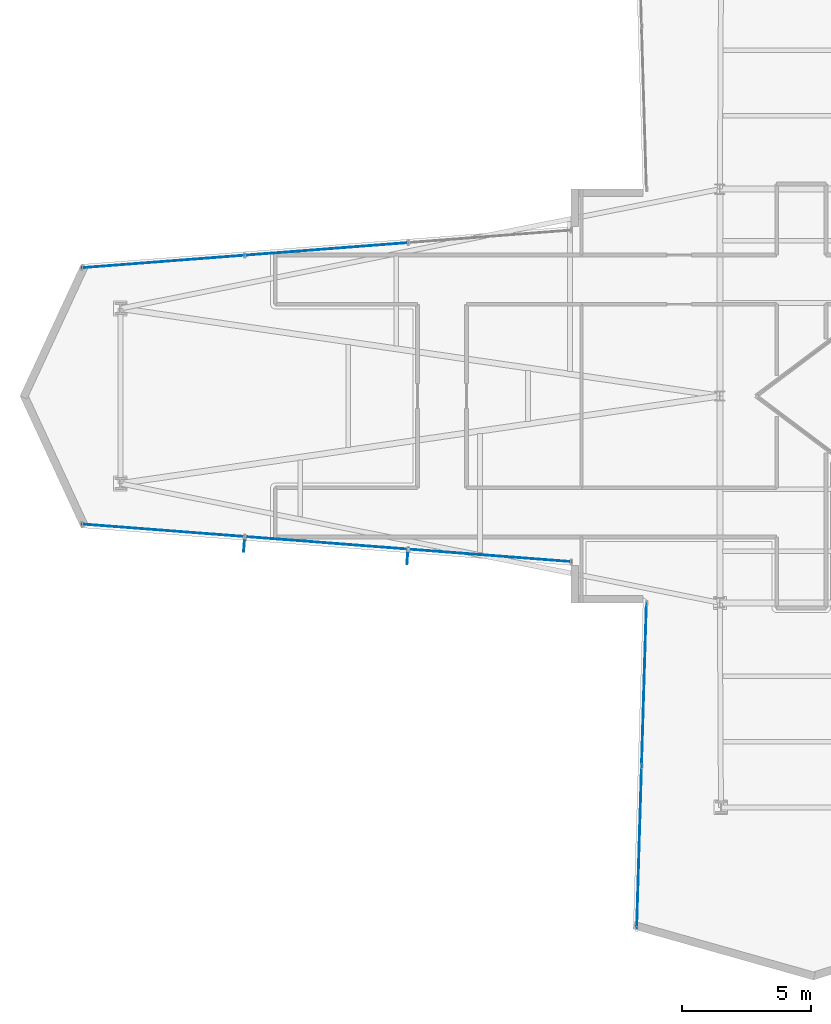
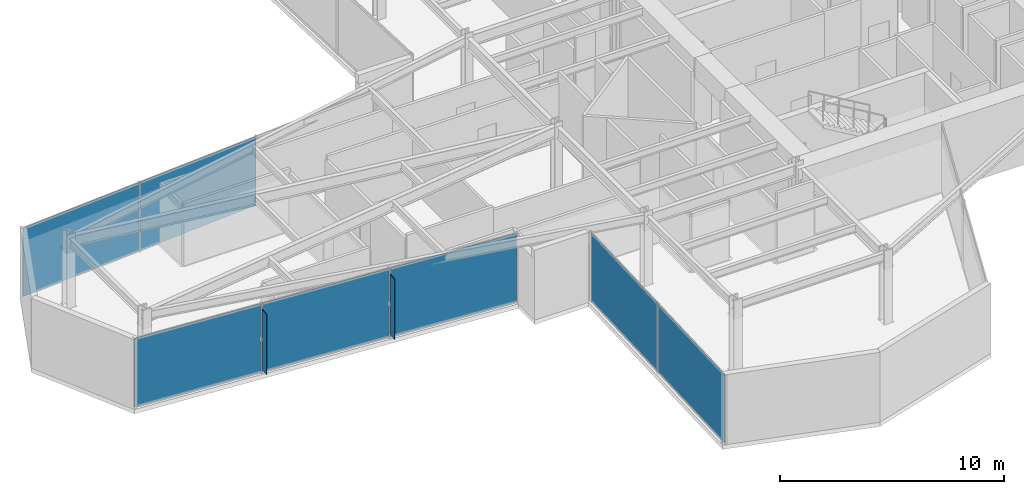
# One storey, part 23 of 30: 9 plates, 3 elements without a shape of their own.
"""IFC4 building model written with IfcOpenShell, lengths in metres."""

from ifc_helpers import new_model, si_unit, direction, frame, origin, origin_2d, place, context, subcontext, project, spatial, rectangle, extrude, material, layer, layer_set, type_object, element, aggregate, save


model = new_model("IFC4")

# Units and contexts
model_context = context("Model", 3, precision=1e-05, world=origin(), true_north=direction((0.0, 1.0)))
body_context = subcontext(model_context, "Body", "Model", "MODEL_VIEW")
ifc_project = project(units=[si_unit("LENGTHUNIT", "METRE"), si_unit("AREAUNIT", "SQUARE_METRE"), si_unit("VOLUMEUNIT", "CUBIC_METRE"), si_unit("PLANEANGLEUNIT", "RADIAN"), si_unit("MASSUNIT", "GRAM", prefix="KILO")], contexts=[model_context])

# Site, building, storey
site_placement = place(None, origin())
site = spatial("IfcSite", under=ifc_project, at=site_placement, CompositionType="ELEMENT")
building_placement = place(site_placement, origin())
building = spatial("IfcBuilding", under=site, at=building_placement, Name="Veymaron Broadcast Tower", CompositionType="ELEMENT")
storey_placement = place(building_placement, frame((0.0, 0.0, 37.800048828125)))
storey = spatial("IfcBuildingStorey", under=building, at=storey_placement, Name="L07", CompositionType="ELEMENT", Elevation=37.800048828125)

# Curtain wall, plates
ifc_material_1 = material(Name="Anodised aluminium AA 6063-T6 and laminated low-E dark glass", Category="aluminium")
ifc_layer_1 = layer(ifc_material_1, 0.179931640625)
ifc_layer_set_1 = layer_set([ifc_layer_1], Name="Anodised aluminium AA 6063-T6 and laminated low-E dark glass")
curtain_wall_type = type_object("IfcCurtainWallType", Name="CW-SYS-02", PredefinedType="NOTDEFINED", material=ifc_layer_set_1)
curtain_wall_1_placement = place(storey_placement, origin())
curtain_wall_1 = element("IfcCurtainWall", 1, at=curtain_wall_1_placement, inside=storey, type_object=curtain_wall_type, Name="L07 dark-glass curtain wall CW-L07-E11-1", PredefinedType="NOTDEFINED")
ifc_material_2 = material(Name="Double-silver solar-control dark glass IGU 32 mm", Category="glass")
ifc_layer_2 = layer(ifc_material_2, 0.031982421875)
ifc_layer_set_2 = layer_set([ifc_layer_2], Name="Double-silver solar-control dark glass IGU 32 mm")
plate_type_1 = type_object("IfcPlateType", Name="CW-PNL-02", PredefinedType="CURTAIN_PANEL", material=ifc_layer_set_2)
plate_1_placement = place(storey_placement, frame((15.984619140625, 29.684326171875, 0.0400390625), z_axis=(0.0, 0.0, 1.0), x_axis=(-0.997062117783, -0.076597214581, 0.0)))
plate_1 = element("IfcPlate", 2, at=plate_1_placement, type_object=plate_type_1, Name="CW-L07-E11-1 unitised curtain panel 1", PredefinedType="CURTAIN_PANEL", context=body_context, shape_type="SweptSolid", body=[
    extrude(rectangle(XDim=6.274658203125, YDim=0.031982421875, at=origin_2d()), origin(), (0.0, 0.0, 1.0), 3.72998046875),
])
plate_2_placement = place(storey_placement, frame((9.668701171875, 29.19921875, 0.0400390625), z_axis=(0.0, 0.0, 1.0), x_axis=(-0.997062117783, -0.076597214581, 0.0)))
plate_2 = element("IfcPlate", 3, at=plate_2_placement, type_object=plate_type_1, Name="CW-L07-E11-1 unitised curtain panel 2", PredefinedType="CURTAIN_PANEL", context=body_context, shape_type="SweptSolid", body=[
    extrude(rectangle(XDim=6.274658203125, YDim=0.031982421875, at=origin_2d()), origin(), (0.0, 0.0, 1.0), 3.72998046875),
])
aggregate(curtain_wall_1, [plate_1, plate_2])

curtain_wall_2_placement = place(storey_placement, origin())
curtain_wall_2 = element("IfcCurtainWall", 4, at=curtain_wall_2_placement, inside=storey, type_object=curtain_wall_type, Name="L07 dark-glass curtain wall CW-L07-E14-1", PredefinedType="NOTDEFINED")
plate_3_placement = place(storey_placement, frame((9.668701171875, 18.80078125, 0.0400390625), z_axis=(0.0, 0.0, 1.0), x_axis=(0.997062117783, -0.076597214581, 0.0)))
plate_3 = element("IfcPlate", 5, at=plate_3_placement, type_object=plate_type_1, Name="CW-L07-E14-1 unitised curtain panel 0", PredefinedType="CURTAIN_PANEL", context=body_context, shape_type="SweptSolid", body=[
    extrude(rectangle(XDim=6.274658203125, YDim=0.031982421875, at=origin_2d()), origin(), (0.0, 0.0, 1.0), 3.72998046875),
])
plate_4_placement = place(storey_placement, frame((15.984619140625, 18.315673828125, 0.0400390625), z_axis=(0.0, 0.0, 1.0), x_axis=(0.997062117783, -0.076597214581, 0.0)))
plate_4 = element("IfcPlate", 6, at=plate_4_placement, type_object=plate_type_1, Name="CW-L07-E14-1 unitised curtain panel 1", PredefinedType="CURTAIN_PANEL", context=body_context, shape_type="SweptSolid", body=[
    extrude(rectangle(XDim=6.274658203125, YDim=0.031982421875, at=origin_2d()), origin(), (0.0, 0.0, 1.0), 3.72998046875),
])
plate_5_placement = place(storey_placement, frame((22.30078125, 17.830322265625, 0.0400390625), z_axis=(0.0, 0.0, 1.0), x_axis=(0.997062117783, -0.076597214581, 0.0)))
plate_5 = element("IfcPlate", 7, at=plate_5_placement, type_object=plate_type_1, Name="CW-L07-E14-1 unitised curtain panel 2", PredefinedType="CURTAIN_PANEL", context=body_context, shape_type="SweptSolid", body=[
    extrude(rectangle(XDim=6.274658203125, YDim=0.031982421875, at=origin_2d()), origin(), (0.0, 0.0, 1.0), 3.72998046875),
])
aggregate(curtain_wall_2, [plate_3, plate_4, plate_5])

curtain_wall_3_placement = place(storey_placement, origin())
curtain_wall_3 = element("IfcCurtainWall", 8, at=curtain_wall_3_placement, inside=storey, type_object=curtain_wall_type, Name="L07 dark-glass curtain wall CW-L07-E17-1", PredefinedType="NOTDEFINED")
plate_6_placement = place(storey_placement, frame((28.269775390625, 12.843017578125, 0.0400390625), z_axis=(0.0, 0.0, 1.0), x_axis=(-0.029858145254, -0.999554146188, 0.0)))
plate_6 = element("IfcPlate", 9, at=plate_6_placement, type_object=plate_type_1, Name="CW-L07-E17-1 unitised curtain panel 0", PredefinedType="CURTAIN_PANEL", context=body_context, shape_type="SweptSolid", body=[
    extrude(rectangle(XDim=6.248291015625, YDim=0.031982421875, at=origin_2d()), origin(), (0.0, 0.0, 1.0), 3.72998046875),
])
plate_7_placement = place(storey_placement, frame((28.081298828125, 6.53759765625, 0.0400390625), z_axis=(0.0, 0.0, 1.0), x_axis=(-0.029858145254, -0.999554146188, 0.0)))
plate_7 = element("IfcPlate", 10, at=plate_7_placement, type_object=plate_type_1, Name="CW-L07-E17-1 unitised curtain panel 1", PredefinedType="CURTAIN_PANEL", context=body_context, shape_type="SweptSolid", body=[
    extrude(rectangle(XDim=6.248291015625, YDim=0.031982421875, at=origin_2d()), origin(), (0.0, 0.0, 1.0), 3.72998046875),
])
aggregate(curtain_wall_3, [plate_6, plate_7])

# Plates
ifc_material_3 = material(Name="Dark-anodised aluminium AA 6061-T6", Category="aluminium")
ifc_layer_3 = layer(ifc_material_3, 0.034912109375)
ifc_layer_set_3 = layer_set([ifc_layer_3], Name="Dark-anodised aluminium AA 6061-T6")
plate_type_2 = type_object("IfcPlateType", Name="FIN-CHEV-01", PredefinedType="USERDEFINED", material=ifc_layer_set_3)
for number, where, z_axis, x_axis, name in (
    (11, (12.799560546875, 18.204345703125, 0.2666015625), (0.0, 0.0, 1.0), (-0.076597214581, -0.997062117783, 0.0), "CW-L07-E14-1 chevron fin 1"),
    (12, (19.115478515625, 17.718994140625, 0.2666015625), (0.0, 0.0, 1.0), (-0.076597214581, -0.997062117783, 0.0), "CW-L07-E14-1 chevron fin 2"),
):
    element("IfcPlate", number, at=place(storey_placement, frame(where, z_axis=z_axis, x_axis=x_axis)), inside=storey, type_object=plate_type_2, Name=name, ObjectType="FIN", PredefinedType="USERDEFINED", context=body_context, shape_type="SweptSolid", body=[
        extrude(rectangle(XDim=0.449951171875, YDim=0.034912109375, at=origin_2d()), origin(), (0.0, 0.0, 1.0), 3.276611328125),
    ])

save(model, "model.ifc")
